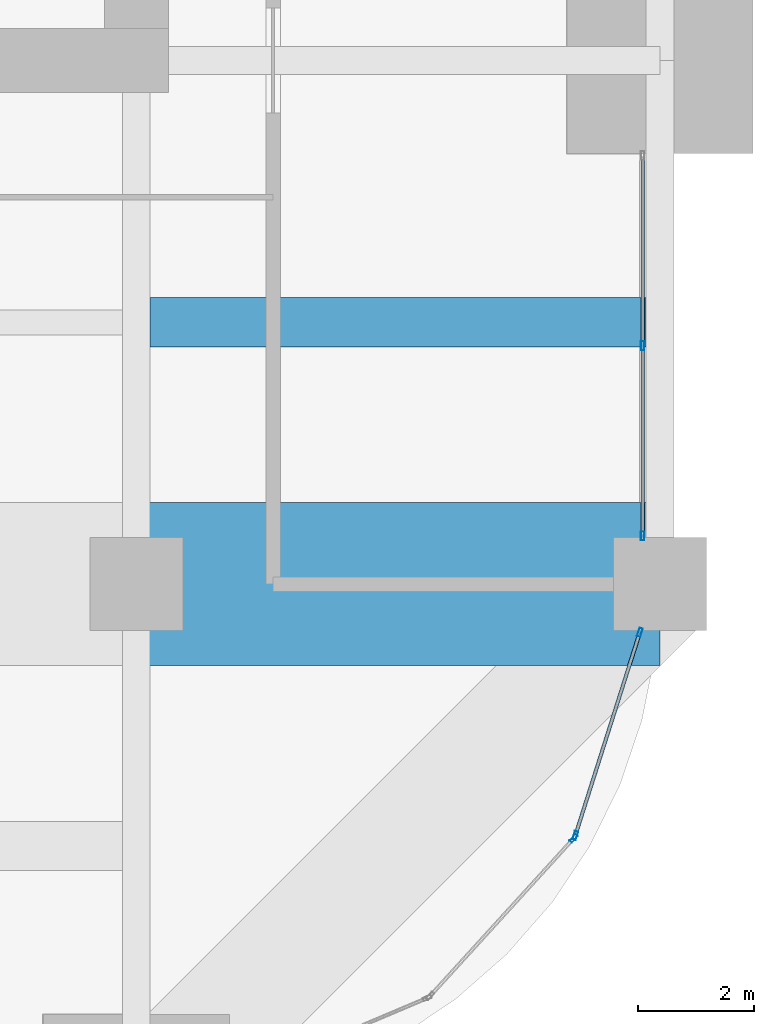
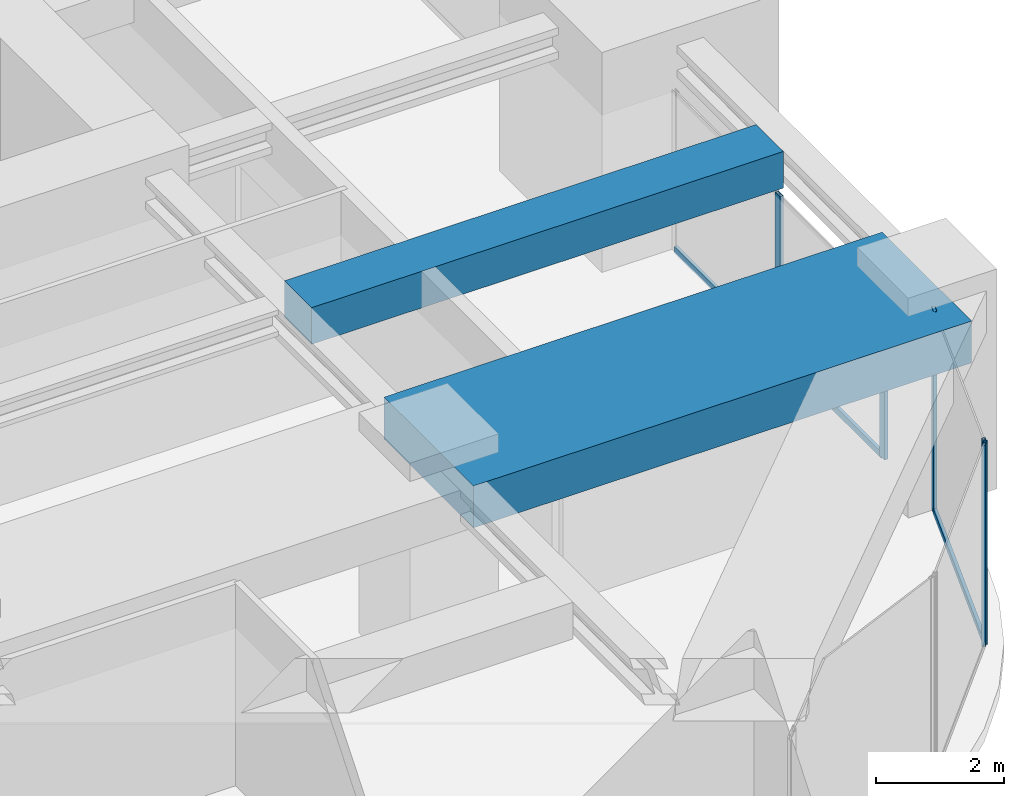
# One storey, part 19 of 39: 7 members, 2 beams, 3 elements without a shape of their own.
"""IFC4 building model written with IfcOpenShell, lengths in metres."""

import ifcopenshell
import ifcopenshell.guid

model = None  # the IFC model being written
_history = None  # IfcOwnerHistory: only IFC2X3 demands one
_inside = {}  # id of a spatial element -> (the spatial element, [elements in it])
_under = {}  # id of a project, library or spatial element -> (it, [spatial elements below it])
_declared = {}  # id of a project -> (the project, [libraries it declares])
_typed = {}  # id of a type object -> (the type object, [elements of that type])
_made_of = {}  # id of a material, layer set ... -> (it, [elements and type objects made of it])


def new_model(schema):
    """Start an empty IFC model of exactly this schema.

    Asked for "IFC4X3", IfcOpenShell would pick the latest addendum, in which some entities
    have other attributes; the version numbers below select the first issue.
    IFC2X3 requires an IfcOwnerHistory on every rooted entity: one is made here for all.
    """
    global model, _history
    if schema == "IFC4X3":
        model = ifcopenshell.file(schema_version=(4, 3, 0, 0))
    else:
        model = ifcopenshell.file(schema=schema)
    _inside.clear()
    _under.clear()
    _declared.clear()
    _typed.clear()
    _made_of.clear()
    _history = None
    if model.schema == "IFC2X3":
        org = make("IfcOrganization", Name="unknown")
        user = make(
            "IfcPersonAndOrganization",
            ThePerson=make("IfcPerson", FamilyName="unknown"),
            TheOrganization=org,
        )
        app = make(
            "IfcApplication",
            ApplicationDeveloper=org,
            Version="unknown",
            ApplicationFullName="unknown",
            ApplicationIdentifier="unknown",
        )
        _history = make(
            "IfcOwnerHistory",
            OwningUser=user,
            OwningApplication=app,
            ChangeAction="ADDED",
            CreationDate=0,
        )
    return model


def make(cls, **values):
    """One entity of the class cls with the attributes given. An attribute that is None is left unset."""
    return model.create_entity(
        cls, **{name: value for name, value in values.items() if value is not None}
    )


def rooted(cls, **values):
    """An entity with a GlobalId (a new one), such as an element, a storey or a relation."""
    return make(cls, GlobalId=ifcopenshell.guid.new(), OwnerHistory=_history, **values)


def si_unit(unit_type, name, prefix=None):
    """IfcSIUnit, for example si_unit("LENGTHUNIT", "METRE", prefix="MILLI")."""
    return make("IfcSIUnit", UnitType=unit_type, Prefix=prefix, Name=name)


def assignment(units):
    """IfcUnitAssignment: the units of a project."""
    return None if units is None else make("IfcUnitAssignment", Units=units)


def point(xyz):
    """IfcCartesianPoint."""
    return None if xyz is None else make("IfcCartesianPoint", Coordinates=xyz)


def direction(xyz):
    """IfcDirection."""
    return None if xyz is None else make("IfcDirection", DirectionRatios=xyz)


def frame(location, z_axis=None, x_axis=None):
    """IfcAxis2Placement3D, a coordinate frame: its origin and axes. An axis left out is left unset."""
    return make(
        "IfcAxis2Placement3D",
        Location=point(location),
        Axis=direction(z_axis),
        RefDirection=direction(x_axis),
    )


def frame_2d(location, x_axis=None):
    """IfcAxis2Placement2D, a coordinate frame in the plane: its origin and x axis."""
    return make(
        "IfcAxis2Placement2D", Location=point(location), RefDirection=direction(x_axis)
    )


def origin():
    """The frame at (0, 0, 0) with its axes left unset."""
    return frame((0.0, 0.0, 0.0))


def origin_2d():
    """The frame at (0, 0) in the plane with its x axis left unset."""
    return frame_2d((0.0, 0.0))


def place(relative_to, where):
    """IfcLocalPlacement: puts the frame where relative to a parent placement (None: the world)."""
    return make(
        "IfcLocalPlacement", PlacementRelTo=relative_to, RelativePlacement=where
    )


def context(
    kind, dimensions, precision=None, world=None, true_north=None, identifier=None
):
    """IfcGeometricRepresentationContext, for example the 3D "Model" context."""
    return make(
        "IfcGeometricRepresentationContext",
        ContextIdentifier=identifier,
        ContextType=kind,
        CoordinateSpaceDimension=dimensions,
        Precision=precision,
        WorldCoordinateSystem=world,
        TrueNorth=true_north,
    )


def subcontext(parent, identifier, kind, view, scale=None):
    """IfcGeometricRepresentationSubContext, for example "Body" below "Model"."""
    return make(
        "IfcGeometricRepresentationSubContext",
        ContextIdentifier=identifier,
        ContextType=kind,
        ParentContext=parent,
        TargetScale=scale,
        TargetView=view,
    )


def project(units=None, contexts=None):
    """IfcProject with its units and contexts."""
    return rooted(
        "IfcProject",
        Name="project",
        RepresentationContexts=contexts,
        UnitsInContext=assignment(units),
    )


def spatial(cls, under=None, at=None, **own):
    """A site, building, storey or space (cls), placed at a placement, below another one or the project."""
    s = rooted(cls, ObjectPlacement=at, **own)
    if under is not None:
        _under.setdefault(under.id(), (under, []))[1].append(s)
    return s


def profile(cls, at=None, kind="AREA", **sizes):
    """A parametric profile (cls). Its sizes go by their IFC names, for example OverallWidth=200.0."""
    return make(cls, ProfileType=kind, Position=at, **sizes)


def rectangle(**sizes):
    """IfcRectangleProfileDef."""
    return profile("IfcRectangleProfileDef", **sizes)


def hollow_rectangle(**sizes):
    """IfcRectangleHollowProfileDef."""
    return profile("IfcRectangleHollowProfileDef", **sizes)


def extrude(swept, where, along, depth):
    """IfcExtrudedAreaSolid: the profile swept, set in the frame where, extruded along a direction by depth."""
    return make(
        "IfcExtrudedAreaSolid",
        SweptArea=swept,
        Position=where,
        ExtrudedDirection=direction(along),
        Depth=depth,
    )


def shape(context_of_items, identifier, shape_type, items):
    """IfcShapeRepresentation: the items that make up one representation, for example the "Body"."""
    return make(
        "IfcShapeRepresentation",
        ContextOfItems=context_of_items,
        RepresentationIdentifier=identifier,
        RepresentationType=shape_type,
        Items=items,
    )


def material(Name=None, Category=None):
    """IfcMaterial."""
    return make("IfcMaterial", Name=Name, Category=Category)


def material_profile(
    of_material, cross_section, Name=None, Category=None, Priority=None
):
    """IfcMaterialProfile: a cross section and its material."""
    return make(
        "IfcMaterialProfile",
        Name=Name,
        Material=of_material,
        Profile=cross_section,
        Priority=Priority,
        Category=Category,
    )


def profile_set(profiles, Name=None, composite=None):
    """IfcMaterialProfileSet."""
    return make(
        "IfcMaterialProfileSet",
        Name=Name,
        MaterialProfiles=profiles,
        CompositeProfile=composite,
    )


def made_of(thing, what):
    """Note that an element or type object is made of a material, layer set ...; save() writes the relation."""
    if what is not None:
        _made_of.setdefault(what.id(), (what, []))[1].append(thing)
    return thing


def type_object(cls, material=None, **own):
    """A type object (cls), such as IfcWallType, which elements share."""
    return made_of(rooted(cls, **own), material)


def element(
    cls,
    number,
    at=None,
    inside=None,
    cuts=None,
    type_object=None,
    material=None,
    context=None,
    identifier="Body",
    shape_type=None,
    held_by="IfcProductDefinitionShape",
    body=None,
    shapes=None,
    **own,
):
    """One element of the class cls, such as IfcWall. Its Tag is "e" and its number.

    at: its placement. inside: the storey or other place that contains it. cuts: it is an
    opening in that element (IfcRelVoidsElement). A single representation is given by context,
    identifier, shape_type and body (its items); several are given by shapes. held_by: the class
    of the entity that holds the representations. save() writes the other relations.
    """
    e = rooted(cls, Tag="e%d" % number, ObjectPlacement=at, **own)
    if body is not None:
        shapes = [shape(context, identifier, shape_type, body)]
    if shapes is not None:
        e.Representation = make(held_by, Representations=shapes)
    if inside is not None:
        _inside.setdefault(inside.id(), (inside, []))[1].append(e)
    if cuts is not None:
        rooted(
            "IfcRelVoidsElement", RelatingBuildingElement=cuts, RelatedOpeningElement=e
        )
    if type_object is not None:
        _typed.setdefault(type_object.id(), (type_object, []))[1].append(e)
    return made_of(e, material)


def aggregate(whole, parts):
    """IfcRelAggregates: a whole, such as a stair, and the parts it consists of."""
    return rooted("IfcRelAggregates", RelatingObject=whole, RelatedObjects=parts)


def save(model, path):
    """Write the relations noted so far, then the file.

    IfcRelAggregates (storeys below a building ...), IfcRelContainedInSpatialStructure (elements
    in a storey), IfcRelDefinesByType, IfcRelAssociatesMaterial and IfcRelDeclares: one each for
    every whole, place, type object, material and project.
    """
    for whole, parts in _under.values():
        aggregate(whole, parts)
    for where, things in _inside.values():
        rooted(
            "IfcRelContainedInSpatialStructure",
            RelatedElements=things,
            RelatingStructure=where,
        )
    for kind, things in _typed.values():
        rooted("IfcRelDefinesByType", RelatedObjects=things, RelatingType=kind)
    for what, things in _made_of.values():
        rooted("IfcRelAssociatesMaterial", RelatedObjects=things, RelatingMaterial=what)
    for by, libraries in _declared.values():
        rooted("IfcRelDeclares", RelatingContext=by, RelatedDefinitions=libraries)
    model.write(path)


model = new_model("IFC4")

# Units and contexts
model_context = context("Model", 3, precision=1e-05, world=origin(), true_north=direction((0.0, 1.0)))
body_context = subcontext(model_context, "Body", "Model", "MODEL_VIEW")
ifc_project = project(units=[si_unit("LENGTHUNIT", "METRE"), si_unit("AREAUNIT", "SQUARE_METRE"), si_unit("VOLUMEUNIT", "CUBIC_METRE"), si_unit("PLANEANGLEUNIT", "RADIAN"), si_unit("MASSUNIT", "GRAM", prefix="KILO")], contexts=[model_context])

# Site, building, storey
site_placement = place(None, origin())
site = spatial("IfcSite", under=ifc_project, at=site_placement, CompositionType="ELEMENT")
building_placement = place(site_placement, origin())
building = spatial("IfcBuilding", under=site, at=building_placement, Name="Zorevar Civic Tower", CompositionType="ELEMENT")
storey_placement = place(building_placement, frame((0.0, 0.0, 230.199951171875)))
storey = spatial("IfcBuildingStorey", under=building, at=storey_placement, Name="L56", CompositionType="ELEMENT", Elevation=230.199951171875)

# Beams
ifc_material_1 = material(Name="Concrete C50/60", Category="concrete")
ifc_material_profile_1 = material_profile(ifc_material_1, rectangle(XDim=2.800048828125, YDim=0.800048828125, at=origin_2d()), Name="RC 2800x800")
ifc_profile_set_1 = profile_set([ifc_material_profile_1], Name="Concrete C50/60")
beam_type_1 = type_object("IfcBeamType", Name="Beam RC 2800x800", PredefinedType="BEAM", material=ifc_profile_set_1)
beam_1_placement = place(storey_placement, frame((45.0, 9.0, 3.449951171875), z_axis=(1.0, 0.0, 0.0), x_axis=(0.0, 1.0, 0.0)))
element("IfcBeam", 1, at=beam_1_placement, inside=storey, type_object=beam_type_1, Name="Girder L57", PredefinedType="BEAM", context=body_context, shape_type="SweptSolid", body=[
    extrude(rectangle(XDim=2.800048828125, YDim=0.800048828125, at=origin_2d()), origin(), (0.0, 0.0, 1.0), 9.0),
])
ifc_material_2 = material(Name="Concrete C50/60", Category="concrete")
ifc_material_profile_2 = material_profile(ifc_material_2, rectangle(XDim=0.85009765625, YDim=0.699951171875, at=origin_2d()), Name="RC 850x700")
ifc_profile_set_2 = profile_set([ifc_material_profile_2], Name="Concrete C50/60")
beam_type_2 = type_object("IfcBeamType", Name="Beam RC 850x700", PredefinedType="BEAM", material=ifc_profile_set_2)
beam_2_placement = place(storey_placement, frame((45.238037109375, 13.5, 3.5), z_axis=(1.0, 0.0, 0.0), x_axis=(0.0, 1.0, 0.0)))
element("IfcBeam", 2, at=beam_2_placement, inside=storey, type_object=beam_type_2, Name="Secondary beam L57", PredefinedType="BEAM", context=body_context, shape_type="SweptSolid", body=[
    extrude(rectangle(XDim=0.85009765625, YDim=0.699951171875, at=origin_2d()), origin(), (0.0, 0.0, 1.0), 8.52392578125),
])

# Curtain wall, members
ifc_material_3 = material(Name="Dark grey solar-control glass in black aluminium frame", Category="aluminium")
curtain_wall_type = type_object("IfcCurtainWallType", Name="Curtain wall CW4 high zone", PredefinedType="NOTDEFINED", material=ifc_material_3)
curtain_wall_1_placement = place(storey_placement, origin())
curtain_wall_1 = element("IfcCurtainWall", 3, at=curtain_wall_1_placement, inside=storey, type_object=curtain_wall_type, Name="CW4 L56", PredefinedType="NOTDEFINED")
ifc_material_4 = material(Name="Aluminium, black anodised", Category="aluminium")
ifc_material_profile_3 = material_profile(ifc_material_4, hollow_rectangle(XDim=0.06005859375, YDim=0.14990234375, WallThickness=0.00390625, at=origin_2d()), Name="AL 150x60x4")
ifc_profile_set_3 = profile_set([ifc_material_profile_3], Name="Aluminium, black anodised")
member_type_1 = type_object("IfcMemberType", Name="CW4 mullion AL 150x60x4", PredefinedType="MULLION", material=ifc_profile_set_3)
member_1_placement = place(storey_placement, frame((53.699951171875, 9.830078125, 0.0), z_axis=(0.0, 0.0, 1.0), x_axis=(-1.0, 0.0, 0.0)))
member_1 = element("IfcMember", 4, at=member_1_placement, type_object=member_type_1, Name="CW4 mullion 1", PredefinedType="MULLION", context=body_context, shape_type="SweptSolid", body=[
    extrude(hollow_rectangle(XDim=0.06005859375, YDim=0.14990234375, WallThickness=0.00390625, at=origin_2d()), origin(), (0.0, 0.0, 1.0), 3.050048828125),
])
member_2_placement = place(storey_placement, frame((53.699951171875, 13.10009765625, 0.06005859375), z_axis=(0.0, 0.0, 1.0), x_axis=(-1.0, 0.0, 0.0)))
member_2 = element("IfcMember", 5, at=member_2_placement, type_object=member_type_1, Name="CW4 mullion 2", PredefinedType="MULLION", context=body_context, shape_type="SweptSolid", body=[
    extrude(hollow_rectangle(XDim=0.06005859375, YDim=0.14990234375, WallThickness=0.00390625, at=origin_2d()), origin(), (0.0, 0.0, 1.0), 2.989990234375),
])

# Curtain wall, member
curtain_wall_2_placement = place(storey_placement, origin())
curtain_wall_2 = element("IfcCurtainWall", 6, at=curtain_wall_2_placement, inside=storey, type_object=curtain_wall_type, Name="CW4 L56", PredefinedType="NOTDEFINED")
member_3_placement = place(storey_placement, frame((52.515380859375, 4.6298828125, 0.0), z_axis=(0.0, 0.0, 1.0), x_axis=(-0.739157439623, 0.673532686252, 0.0)))
member_3 = element("IfcMember", 7, at=member_3_placement, type_object=member_type_1, Name="CW4 mullion 2", PredefinedType="MULLION", context=body_context, shape_type="SweptSolid", body=[
    extrude(hollow_rectangle(XDim=0.06005859375, YDim=0.14990234375, WallThickness=0.00390625, at=origin_2d()), origin(), (0.0, 0.0, 1.0), 3.85009765625),
])
aggregate(curtain_wall_2, [member_3])

# Curtain wall, members
curtain_wall_3_placement = place(storey_placement, origin())
curtain_wall_3 = element("IfcCurtainWall", 8, at=curtain_wall_3_placement, inside=storey, type_object=curtain_wall_type, Name="CW4 L56", PredefinedType="NOTDEFINED")
member_4_placement = place(storey_placement, frame((52.544677734375, 4.6806640625, 0.0), z_axis=(0.0, 0.0, 1.0), x_axis=(-0.953035458272, 0.302858738154, 0.0)))
member_4 = element("IfcMember", 9, at=member_4_placement, type_object=member_type_1, Name="CW4 mullion 1", PredefinedType="MULLION", context=body_context, shape_type="SweptSolid", body=[
    extrude(hollow_rectangle(XDim=0.06005859375, YDim=0.14990234375, WallThickness=0.00390625, at=origin_2d()), origin(), (0.0, 0.0, 1.0), 3.85009765625),
])
member_5_placement = place(storey_placement, frame((53.654052734375, 8.17138671875, 0.0), z_axis=(0.0, 0.0, 1.0), x_axis=(-0.953035458272, 0.302858738154, 0.0)))
member_5 = element("IfcMember", 10, at=member_5_placement, type_object=member_type_1, Name="CW4 mullion 2", PredefinedType="MULLION", context=body_context, shape_type="SweptSolid", body=[
    extrude(hollow_rectangle(XDim=0.06005859375, YDim=0.14990234375, WallThickness=0.00390625, at=origin_2d()), origin(), (0.0, 0.0, 1.0), 3.85009765625),
])

# Member
ifc_material_5 = material(Name="Aluminium, black anodised", Category="aluminium")
ifc_material_profile_4 = material_profile(ifc_material_5, hollow_rectangle(XDim=0.06005859375, YDim=0.1201171875, WallThickness=0.0029296875, at=origin_2d()), Name="AL 120x60x3")
ifc_profile_set_4 = profile_set([ifc_material_profile_4], Name="Aluminium, black anodised")
member_type_2 = type_object("IfcMemberType", Name="CW4 transom AL 120x60x3", PredefinedType="USERDEFINED", material=ifc_profile_set_4)
member_6_placement = place(storey_placement, frame((53.699951171875, 9.860107421875, 0.030029296875), z_axis=(0.0, 1.0, 0.0), x_axis=(-1.0, 0.0, 0.0)))
member_6 = element("IfcMember", 11, at=member_6_placement, type_object=member_type_2, Name="CW4 sill transom", ObjectType="TRANSOM", PredefinedType="USERDEFINED", context=body_context, shape_type="SweptSolid", body=[
    extrude(hollow_rectangle(XDim=0.06005859375, YDim=0.1201171875, WallThickness=0.0029296875, at=origin_2d()), origin(), (0.0, 0.0, 1.0), 6.47998046875),
])

aggregate(curtain_wall_1, [member_1, member_2, member_6])

member_7_placement = place(storey_placement, frame((52.5537109375, 4.709228515625, 0.030029296875), z_axis=(0.302840020249, 0.953041406307, 0.0), x_axis=(-0.953041406307, 0.302840020249, 0.0)))
member_7 = element("IfcMember", 12, at=member_7_placement, type_object=member_type_2, Name="CW4 sill transom", ObjectType="TRANSOM", PredefinedType="USERDEFINED", context=body_context, shape_type="SweptSolid", body=[
    extrude(hollow_rectangle(XDim=0.06005859375, YDim=0.1201171875, WallThickness=0.0029296875, at=origin_2d()), origin(), (0.0, 0.0, 1.0), 3.602783203125),
])

aggregate(curtain_wall_3, [member_4, member_5, member_7])

save(model, "model.ifc")
